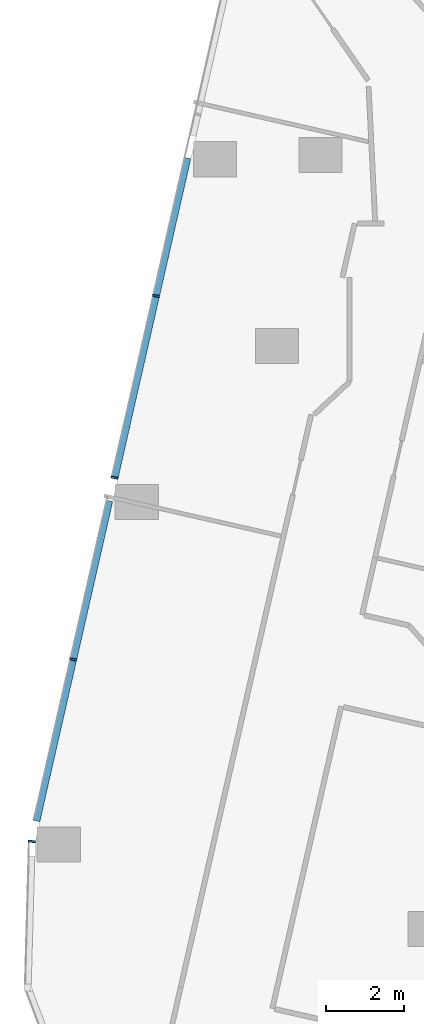
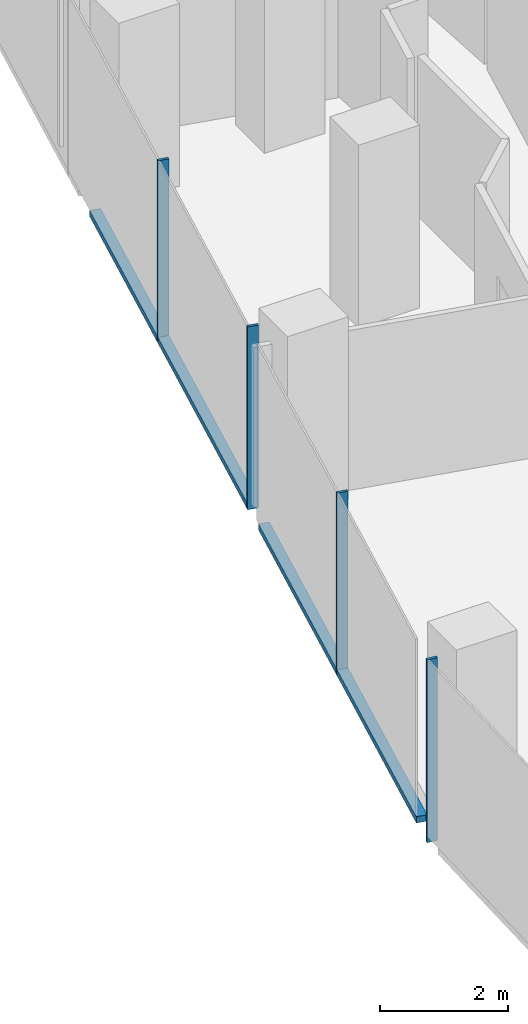
# One storey, part 4 of 24: 6 members, 1 element without a shape of its own.
"""IFC4 building model written with IfcOpenShell, lengths in metres."""

from ifc_helpers import new_model, si_unit, direction, frame, origin, origin_2d, place, context, subcontext, project, spatial, rectangle, extrude, material, material_profile, profile_set, type_object, element, aggregate, save


model = new_model("IFC4")

# Units and contexts
model_context = context("Model", 3, precision=1e-05, world=origin(), true_north=direction((0.0, 1.0)))
body_context = subcontext(model_context, "Body", "Model", "MODEL_VIEW")
ifc_project = project(units=[si_unit("LENGTHUNIT", "METRE"), si_unit("AREAUNIT", "SQUARE_METRE"), si_unit("VOLUMEUNIT", "CUBIC_METRE"), si_unit("PLANEANGLEUNIT", "RADIAN"), si_unit("MASSUNIT", "GRAM", prefix="KILO")], contexts=[model_context])

# Site, building, storey
site_placement = place(None, origin())
site = spatial("IfcSite", under=ifc_project, at=site_placement, CompositionType="ELEMENT")
building_placement = place(site_placement, origin())
building = spatial("IfcBuilding", under=site, at=building_placement, Name="Orlundy Tower", CompositionType="ELEMENT")
storey_placement = place(building_placement, frame((0.0, 0.0, 177.60009765625)))
storey = spatial("IfcBuildingStorey", under=building, at=storey_placement, Name="L46", CompositionType="ELEMENT", Elevation=177.60009765625)

# Curtain wall, members
ifc_material_1 = material(Name="Aluminium bronze anodised", Category="aluminium")
curtain_wall_type = type_object("IfcCurtainWallType", Name="CW1 wall", PredefinedType="NOTDEFINED", material=ifc_material_1)
curtain_wall_placement = place(storey_placement, origin())
curtain_wall = element("IfcCurtainWall", 1, at=curtain_wall_placement, inside=storey, type_object=curtain_wall_type, Name="CW1 run 00", PredefinedType="NOTDEFINED")
ifc_material_2 = material(Name="Aluminium bronze anodised", Category="aluminium")
ifc_material_profile_1 = material_profile(ifc_material_2, rectangle(XDim=0.179931640625, YDim=0.050048828125, at=origin_2d()), Name="CW1 mullion 50x180")
ifc_profile_set_1 = profile_set([ifc_material_profile_1], Name="Aluminium bronze anodised")
member_type_1 = type_object("IfcMemberType", Name="CW1 mullion 50x180", PredefinedType="MULLION", material=ifc_profile_set_1)
member_1_placement = place(storey_placement, frame((-30.917724609375, -45.272705078125, -0.420166015625), z_axis=(0.0, 0.0, 1.0), x_axis=(-0.992087726333, 0.12554657805, 0.0)))
member_1 = element("IfcMember", 2, at=member_1_placement, type_object=member_type_1, Name="CW1 mullion 1", PredefinedType="MULLION", context=body_context, shape_type="SweptSolid", body=[
    extrude(rectangle(XDim=0.179931640625, YDim=0.050048828125, at=origin_2d()), origin(), (0.0, 0.0, 1.0), 3.5),
])
member_2_placement = place(storey_placement, frame((-29.859619140625, -40.62744140625, -0.420166015625), z_axis=(0.0, 0.0, 1.0), x_axis=(-0.97502463614, 0.222096733251, 0.0)))
member_2 = element("IfcMember", 3, at=member_2_placement, type_object=member_type_1, Name="CW1 mullion 2", PredefinedType="MULLION", context=body_context, shape_type="SweptSolid", body=[
    extrude(rectangle(XDim=0.179931640625, YDim=0.050048828125, at=origin_2d()), origin(), (0.0, 0.0, 1.0), 3.5),
])
member_3_placement = place(storey_placement, frame((-28.803466796875, -35.99072265625, -0.420166015625), z_axis=(0.0, 0.0, 1.0), x_axis=(-0.97502463614, 0.222096733251, 0.0)))
member_3 = element("IfcMember", 4, at=member_3_placement, type_object=member_type_1, Name="CW1 mullion 3", PredefinedType="MULLION", context=body_context, shape_type="SweptSolid", body=[
    extrude(rectangle(XDim=0.179931640625, YDim=0.050048828125, at=origin_2d()), origin(), (0.0, 0.0, 1.0), 3.5),
])
member_4_placement = place(storey_placement, frame((-27.747314453125, -31.35400390625, -0.420166015625), z_axis=(0.0, 0.0, 1.0), x_axis=(-0.97502463614, 0.222096733251, 0.0)))
member_4 = element("IfcMember", 5, at=member_4_placement, type_object=member_type_1, Name="CW1 mullion 4", PredefinedType="MULLION", context=body_context, shape_type="SweptSolid", body=[
    extrude(rectangle(XDim=0.179931640625, YDim=0.050048828125, at=origin_2d()), origin(), (0.0, 0.0, 1.0), 3.5),
])
ifc_material_3 = material(Name="Aluminium bronze anodised", Category="aluminium")
ifc_material_profile_2 = material_profile(ifc_material_3, rectangle(XDim=0.179931640625, YDim=0.1201171875, at=origin_2d()), Name="CW1 transom 180x120")
ifc_profile_set_2 = profile_set([ifc_material_profile_2], Name="Aluminium bronze anodised")
member_type_2 = type_object("IfcMemberType", Name="CW1 transom 180x120", PredefinedType="USERDEFINED", material=ifc_profile_set_2)
member_5_placement = place(storey_placement, frame((-30.799072265625, -44.751953125, -0.360107421875), z_axis=(0.222091789756, 0.975025762184, 0.0), x_axis=(-0.975025762184, 0.222091789756, 0.0)))
member_5 = element("IfcMember", 6, at=member_5_placement, type_object=member_type_2, Name="CW1 transom", ObjectType="TRANSOM", PredefinedType="USERDEFINED", context=body_context, shape_type="SweptSolid", body=[
    extrude(rectangle(XDim=0.179931640625, YDim=0.1201171875, at=origin_2d()), origin(), (0.0, 0.0, 1.0), 8.38427734375),
])
member_6_placement = place(storey_placement, frame((-28.8076171875, -36.009033203125, -0.360107421875), z_axis=(0.222090405323, 0.97502607753, 0.0), x_axis=(-0.97502607753, 0.222090405323, 0.0)))
member_6 = element("IfcMember", 7, at=member_6_placement, type_object=member_type_2, Name="CW1 transom", ObjectType="TRANSOM", PredefinedType="USERDEFINED", context=body_context, shape_type="SweptSolid", body=[
    extrude(rectangle(XDim=0.179931640625, YDim=0.1201171875, at=origin_2d()), origin(), (0.0, 0.0, 1.0), 8.386474609375),
])
aggregate(curtain_wall, [member_1, member_2, member_3, member_4, member_5, member_6])

save(model, "model.ifc")
